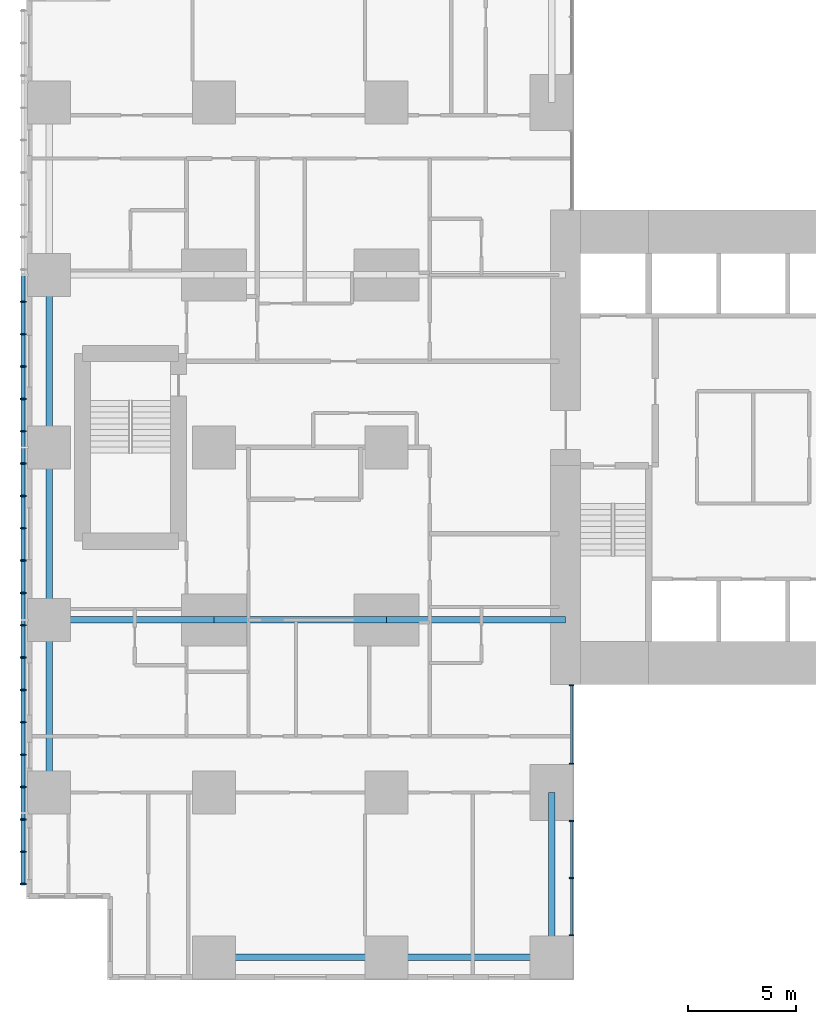
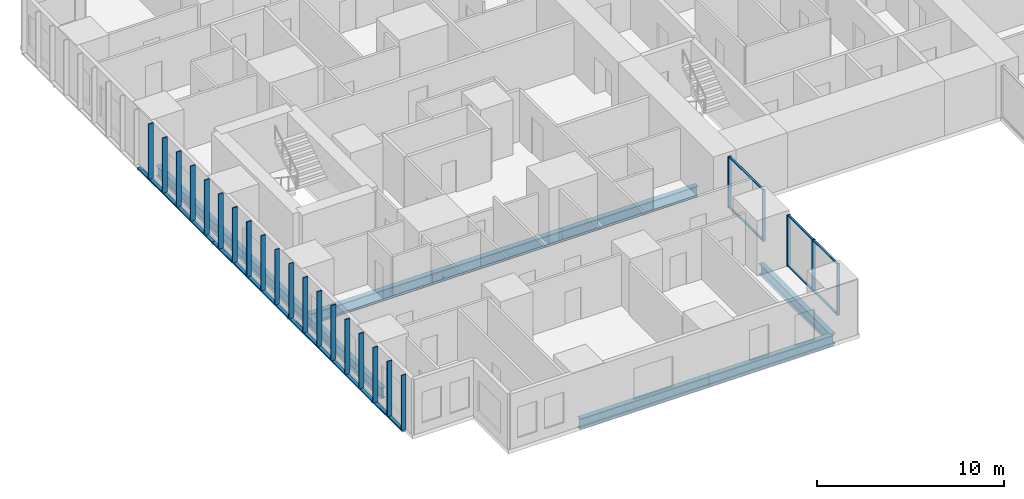
# One storey, part 2 of 20: 33 members, 9 beams, 2 elements without a shape of their own.
"""IFC4 building model written with IfcOpenShell, lengths in metres."""

from ifc_helpers import new_model, si_unit, direction, frame, origin, origin_2d, place, context, subcontext, project, spatial, rectangle, hollow_rectangle, i_section, extrude, material, layer, layer_set, material_profile, profile_set, type_object, element, aggregate, save


model = new_model("IFC4")

# Units and contexts
model_context = context("Model", 3, precision=1e-05, world=origin(), true_north=direction((0.0, 1.0)))
body_context = subcontext(model_context, "Body", "Model", "MODEL_VIEW")
ifc_project = project(units=[si_unit("LENGTHUNIT", "METRE"), si_unit("AREAUNIT", "SQUARE_METRE"), si_unit("VOLUMEUNIT", "CUBIC_METRE"), si_unit("PLANEANGLEUNIT", "RADIAN"), si_unit("MASSUNIT", "GRAM", prefix="KILO")], contexts=[model_context])

# Site, building, storey
site_placement = place(None, origin())
site = spatial("IfcSite", under=ifc_project, at=site_placement, CompositionType="ELEMENT")
building_placement = place(site_placement, origin())
building = spatial("IfcBuilding", under=site, at=building_placement, Name="Cleftline Residences", CompositionType="ELEMENT")
storey_placement = place(building_placement, frame((0.0, 0.0, 83.60009765625)))
storey = spatial("IfcBuildingStorey", under=building, at=storey_placement, Name="L21", CompositionType="ELEMENT", Elevation=83.60009765625)

# Members
ifc_material_1 = material(Name="Steel S355, hot-dip galvanised", Category="steel")
ifc_material_profile_1 = material_profile(ifc_material_1, hollow_rectangle(XDim=0.10009765625, YDim=0.199951171875, WallThickness=0.008056640625, InnerFilletRadius=0.008056640625, OuterFilletRadius=0.011962890625, at=origin_2d()))
ifc_profile_set_1 = profile_set([ifc_material_profile_1], Name="Steel S355, hot-dip galvanised")
member_type_1 = type_object("IfcMemberType", Name="BAGUETTE CARRIER RHS 200X100X8", PredefinedType="USERDEFINED", material=ifc_profile_set_1)
for number, where, z_axis, x_axis, name in (
    (1, (-0.85009765625, 32.0, -0.050048828125), (0.0, -1.0, 0.0), (0.0, 0.0, 1.0), "Baguette carrier"),
    (2, (-0.85009765625, 24.0, -0.050048828125), (0.0, -1.0, 0.0), (0.0, 0.0, 1.0), "Baguette carrier"),
):
    element("IfcMember", number, at=place(storey_placement, frame(where, z_axis=z_axis, x_axis=x_axis)), inside=storey, type_object=member_type_1, Name=name, ObjectType="BAGUETTE CARRIER", PredefinedType="USERDEFINED", context=body_context, shape_type="SweptSolid", body=[
        extrude(hollow_rectangle(XDim=0.10009765625, YDim=0.199951171875, WallThickness=0.008056640625, InnerFilletRadius=0.008056640625, OuterFilletRadius=0.011962890625, at=origin_2d()), origin(), (0.0, 0.0, 1.0), 8.0),
    ])
member_1_placement = place(storey_placement, frame((-0.85009765625, 16.0, -0.050048828125), z_axis=(0.0, -1.0, 0.0), x_axis=(0.0, 0.0, 1.0)))
element("IfcMember", 3, at=member_1_placement, inside=storey, type_object=member_type_1, Name="Baguette carrier", ObjectType="BAGUETTE CARRIER", PredefinedType="USERDEFINED", context=body_context, shape_type="SweptSolid", body=[
    extrude(hollow_rectangle(XDim=0.10009765625, YDim=0.199951171875, WallThickness=0.008056640625, InnerFilletRadius=0.008056640625, OuterFilletRadius=0.011962890625, at=origin_2d()), origin(), (0.0, 0.0, 1.0), 12.300048828125),
])

# Beams
ifc_material_2 = material(Name="Steel S355", Category="steel")
ifc_material_profile_2 = material_profile(ifc_material_2, i_section(OverallWidth=0.300048828125, OverallDepth=0.699951171875, WebThickness=0.01708984375, FlangeThickness=0.031982421875, FilletRadius=0.027099609375, at=origin_2d()))
ifc_profile_set_2 = profile_set([ifc_material_profile_2], Name="Steel S355")
beam_type_1 = type_object("IfcBeamType", Name="BEAM HEB 700", PredefinedType="BEAM", material=ifc_profile_set_2)
for number, where, z_axis, x_axis, name in (
    (4, (0.35009765625, 8.0, -0.60009765625), (0.0, 1.0, 0.0), (-1.0, 0.0, 0.0), "Edge beam"),
    (5, (0.35009765625, 16.0, -0.60009765625), (0.0, 1.0, 0.0), (-1.0, 0.0, 0.0), "Edge beam"),
    (6, (0.35009765625, 24.0, -0.60009765625), (0.0, 1.0, 0.0), (-1.0, 0.0, 0.0), "Edge beam"),
    (7, (8.0, 0.35009765625, -0.60009765625), (1.0, 0.0, 0.0), (0.0, 1.0, 0.0), "Edge beam"),
):
    element("IfcBeam", number, at=place(storey_placement, frame(where, z_axis=z_axis, x_axis=x_axis)), inside=storey, type_object=beam_type_1, Name=name, PredefinedType="BEAM", context=body_context, shape_type="SweptSolid", body=[
        extrude(i_section(OverallWidth=0.300048828125, OverallDepth=0.699951171875, WebThickness=0.01708984375, FlangeThickness=0.031982421875, FilletRadius=0.027099609375, at=origin_2d()), origin(), (0.0, 0.0, 1.0), 8.0),
    ])
for number, where, z_axis, x_axis, name in (
    (8, (16.0, 0.35009765625, -0.60009765625), (1.0, 0.0, 0.0), (0.0, 1.0, 0.0), "Edge beam"),
    (9, (23.64990234375, 0.35009765625, -0.60009765625), (0.0, 1.0, 0.0), (-1.0, 0.0, 0.0), "Edge beam"),
):
    element("IfcBeam", number, at=place(storey_placement, frame(where, z_axis=z_axis, x_axis=x_axis)), inside=storey, type_object=beam_type_1, Name=name, PredefinedType="BEAM", context=body_context, shape_type="SweptSolid", body=[
        extrude(i_section(OverallWidth=0.300048828125, OverallDepth=0.699951171875, WebThickness=0.01708984375, FlangeThickness=0.031982421875, FilletRadius=0.027099609375, at=origin_2d()), origin(), (0.0, 0.0, 1.0), 7.64990234375),
    ])
ifc_material_3 = material(Name="Steel S355", Category="steel")
ifc_material_profile_3 = material_profile(ifc_material_3, i_section(OverallWidth=0.303955078125, OverallDepth=0.716064453125, WebThickness=0.02099609375, FlangeThickness=0.0400390625, FilletRadius=0.027099609375, at=origin_2d()))
ifc_profile_set_3 = profile_set([ifc_material_profile_3], Name="Steel S355")
beam_type_2 = type_object("IfcBeamType", Name="BEAM HEM 700", PredefinedType="BEAM", material=ifc_profile_set_3)
beam_1_placement = place(storey_placement, frame((0.35009765625, 16.0, -0.608154296875), z_axis=(1.0, 0.0, 0.0), x_axis=(0.0, 1.0, 0.0)))
element("IfcBeam", 10, at=beam_1_placement, inside=storey, type_object=beam_type_2, Name="Band beam", PredefinedType="BEAM", context=body_context, shape_type="SweptSolid", body=[
    extrude(i_section(OverallWidth=0.303955078125, OverallDepth=0.716064453125, WebThickness=0.02099609375, FlangeThickness=0.0400390625, FilletRadius=0.027099609375, at=origin_2d()), origin(), (0.0, 0.0, 1.0), 7.64990234375),
])
beam_2_placement = place(storey_placement, frame((8.0, 16.0, -0.608154296875), z_axis=(1.0, 0.0, 0.0), x_axis=(0.0, 1.0, 0.0)))
element("IfcBeam", 11, at=beam_2_placement, inside=storey, type_object=beam_type_2, Name="Band beam", PredefinedType="BEAM", context=body_context, shape_type="SweptSolid", body=[
    extrude(i_section(OverallWidth=0.303955078125, OverallDepth=0.716064453125, WebThickness=0.02099609375, FlangeThickness=0.0400390625, FilletRadius=0.027099609375, at=origin_2d()), origin(), (0.0, 0.0, 1.0), 8.0),
])
beam_3_placement = place(storey_placement, frame((16.0, 16.0, -0.608154296875), z_axis=(1.0, 0.0, 0.0), x_axis=(0.0, 1.0, 0.0)))
element("IfcBeam", 12, at=beam_3_placement, inside=storey, type_object=beam_type_2, Name="Band beam", PredefinedType="BEAM", context=body_context, shape_type="SweptSolid", body=[
    extrude(i_section(OverallWidth=0.303955078125, OverallDepth=0.716064453125, WebThickness=0.02099609375, FlangeThickness=0.0400390625, FilletRadius=0.027099609375, at=origin_2d()), origin(), (0.0, 0.0, 1.0), 8.300048828125),
])

# Curtain wall, members
ifc_material_4 = material(Name="Aluminium framed curtain wall", Category="aluminium")
ifc_layer = layer(ifc_material_4, 0.199951171875)
ifc_layer_set = layer_set([ifc_layer], Name="CW1 CLEFT GLAZING")
curtain_wall_type = type_object("IfcCurtainWallType", Name="CW1 CLEFT GLAZING", PredefinedType="NOTDEFINED", material=ifc_layer_set)
curtain_wall_1_placement = place(storey_placement, origin())
curtain_wall_1 = element("IfcCurtainWall", 13, at=curtain_wall_1_placement, inside=storey, type_object=curtain_wall_type, Name="Curtain wall CW1", PredefinedType="NOTDEFINED")
ifc_material_5 = material(Name="Aluminium mullion", Category="aluminium")
ifc_material_profile_4 = material_profile(ifc_material_5, rectangle(XDim=0.199951171875, YDim=0.06005859375, at=origin_2d()))
ifc_profile_set_4 = profile_set([ifc_material_profile_4], Name="Aluminium mullion")
member_type_2 = type_object("IfcMemberType", Name="CW1 MULLION", PredefinedType="MULLION", material=ifc_profile_set_4)
member_2_placement = place(storey_placement, frame((24.574951171875, 1.3798828125, 0.0), z_axis=(0.0, 0.0, 1.0), x_axis=(-1.0, 0.0, 0.0)))
member_2 = element("IfcMember", 14, at=member_2_placement, type_object=member_type_2, Name="CW1 mullion 1", PredefinedType="MULLION", context=body_context, shape_type="SweptSolid", body=[
    extrude(rectangle(XDim=0.199951171875, YDim=0.06005859375, at=origin_2d()), origin(), (0.0, 0.0, 1.0), 3.349853515625),
])
member_3_placement = place(storey_placement, frame((24.574951171875, 4.02490234375, 0.0), z_axis=(0.0, 0.0, 1.0), x_axis=(-1.0, 0.0, 0.0)))
member_3 = element("IfcMember", 15, at=member_3_placement, type_object=member_type_2, Name="CW1 mullion 2", PredefinedType="MULLION", context=body_context, shape_type="SweptSolid", body=[
    extrude(rectangle(XDim=0.199951171875, YDim=0.06005859375, at=origin_2d()), origin(), (0.0, 0.0, 1.0), 3.349853515625),
])
member_4_placement = place(storey_placement, frame((24.574951171875, 6.669921875, 0.0), z_axis=(0.0, 0.0, 1.0), x_axis=(-1.0, 0.0, 0.0)))
member_4 = element("IfcMember", 16, at=member_4_placement, type_object=member_type_2, Name="CW1 mullion 3", PredefinedType="MULLION", context=body_context, shape_type="SweptSolid", body=[
    extrude(rectangle(XDim=0.199951171875, YDim=0.06005859375, at=origin_2d()), origin(), (0.0, 0.0, 1.0), 3.349853515625),
])

curtain_wall_2_placement = place(storey_placement, origin())
curtain_wall_2 = element("IfcCurtainWall", 17, at=curtain_wall_2_placement, inside=storey, type_object=curtain_wall_type, Name="Curtain wall CW1", PredefinedType="NOTDEFINED")
member_5_placement = place(storey_placement, frame((24.574951171875, 9.330078125, 0.0), z_axis=(0.0, 0.0, 1.0), x_axis=(-1.0, 0.0, 0.0)))
member_5 = element("IfcMember", 18, at=member_5_placement, type_object=member_type_2, Name="CW1 mullion 1", PredefinedType="MULLION", context=body_context, shape_type="SweptSolid", body=[
    extrude(rectangle(XDim=0.199951171875, YDim=0.06005859375, at=origin_2d()), origin(), (0.0, 0.0, 1.0), 3.349853515625),
])
member_6_placement = place(storey_placement, frame((24.574951171875, 12.969970703125, 0.0), z_axis=(0.0, 0.0, 1.0), x_axis=(-1.0, 0.0, 0.0)))
member_6 = element("IfcMember", 19, at=member_6_placement, type_object=member_type_2, Name="CW1 mullion 2", PredefinedType="MULLION", context=body_context, shape_type="SweptSolid", body=[
    extrude(rectangle(XDim=0.199951171875, YDim=0.06005859375, at=origin_2d()), origin(), (0.0, 0.0, 1.0), 3.349853515625),
])

# Member
ifc_material_6 = material(Name="Aluminium transom", Category="aluminium")
ifc_material_profile_5 = material_profile(ifc_material_6, rectangle(XDim=0.1201171875, YDim=0.06005859375, at=origin_2d()))
ifc_profile_set_5 = profile_set([ifc_material_profile_5], Name="Aluminium transom")
member_type_3 = type_object("IfcMemberType", Name="CW1 TRANSOM", PredefinedType="USERDEFINED", material=ifc_profile_set_5)
member_7_placement = place(storey_placement, frame((24.574951171875, 1.409912109375, 0.02978515625), z_axis=(0.0, 1.0, 0.0), x_axis=(-1.0, 0.0, 0.0)))
member_7 = element("IfcMember", 20, at=member_7_placement, type_object=member_type_3, Name="CW1 transom 1.1", ObjectType="TRANSOM", PredefinedType="USERDEFINED", context=body_context, shape_type="SweptSolid", body=[
    extrude(rectangle(XDim=0.1201171875, YDim=0.06005859375, at=origin_2d()), origin(), (0.0, 0.0, 1.0), 2.585205078125),
])

member_8_placement = place(storey_placement, frame((24.574951171875, 1.409912109375, 3.31982421875), z_axis=(0.0, 1.0, 0.0), x_axis=(-1.0, 0.0, 0.0)))
member_8 = element("IfcMember", 21, at=member_8_placement, type_object=member_type_3, Name="CW1 transom 1.2", ObjectType="TRANSOM", PredefinedType="USERDEFINED", context=body_context, shape_type="SweptSolid", body=[
    extrude(rectangle(XDim=0.1201171875, YDim=0.06005859375, at=origin_2d()), origin(), (0.0, 0.0, 1.0), 2.585205078125),
])

member_9_placement = place(storey_placement, frame((24.574951171875, 4.054931640625, 0.02978515625), z_axis=(0.0, 1.0, 0.0), x_axis=(-1.0, 0.0, 0.0)))
member_9 = element("IfcMember", 22, at=member_9_placement, type_object=member_type_3, Name="CW1 transom 2.1", ObjectType="TRANSOM", PredefinedType="USERDEFINED", context=body_context, shape_type="SweptSolid", body=[
    extrude(rectangle(XDim=0.1201171875, YDim=0.06005859375, at=origin_2d()), origin(), (0.0, 0.0, 1.0), 2.5849609375),
])

member_10_placement = place(storey_placement, frame((24.574951171875, 4.054931640625, 3.31982421875), z_axis=(0.0, 1.0, 0.0), x_axis=(-1.0, 0.0, 0.0)))
member_10 = element("IfcMember", 23, at=member_10_placement, type_object=member_type_3, Name="CW1 transom 2.2", ObjectType="TRANSOM", PredefinedType="USERDEFINED", context=body_context, shape_type="SweptSolid", body=[
    extrude(rectangle(XDim=0.1201171875, YDim=0.06005859375, at=origin_2d()), origin(), (0.0, 0.0, 1.0), 2.5849609375),
])

aggregate(curtain_wall_1, [member_2, member_3, member_4, member_7, member_8, member_9, member_10])

member_11_placement = place(storey_placement, frame((24.574951171875, 9.360107421875, 0.02978515625), z_axis=(0.0, 1.0, 0.0), x_axis=(-1.0, 0.0, 0.0)))
member_11 = element("IfcMember", 24, at=member_11_placement, type_object=member_type_3, Name="CW1 transom 1.1", ObjectType="TRANSOM", PredefinedType="USERDEFINED", context=body_context, shape_type="SweptSolid", body=[
    extrude(rectangle(XDim=0.1201171875, YDim=0.06005859375, at=origin_2d()), origin(), (0.0, 0.0, 1.0), 3.579833984375),
])

member_12_placement = place(storey_placement, frame((24.574951171875, 9.360107421875, 3.31982421875), z_axis=(0.0, 1.0, 0.0), x_axis=(-1.0, 0.0, 0.0)))
member_12 = element("IfcMember", 25, at=member_12_placement, type_object=member_type_3, Name="CW1 transom 1.2", ObjectType="TRANSOM", PredefinedType="USERDEFINED", context=body_context, shape_type="SweptSolid", body=[
    extrude(rectangle(XDim=0.1201171875, YDim=0.06005859375, at=origin_2d()), origin(), (0.0, 0.0, 1.0), 3.579833984375),
])

aggregate(curtain_wall_2, [member_5, member_6, member_11, member_12])

# Members
ifc_material_7 = material(Name="Extruded terracotta", Category="masonry")
ifc_material_profile_6 = material_profile(ifc_material_7, rectangle(XDim=0.06005859375, YDim=0.300048828125, at=origin_2d()))
ifc_profile_set_6 = profile_set([ifc_material_profile_6], Name="Extruded terracotta")
member_type_4 = type_object("IfcMemberType", Name="TERRACOTTA BAGUETTE 60X300", PredefinedType="USERDEFINED", material=ifc_profile_set_6)
for number, where, z_axis, x_axis, name in (
    (26, (-0.85009765625, 30.75, 0.0), (0.0, 0.0, 1.0), (0.0, 1.0, 0.0), "Terracotta baguette"),
    (27, (-0.85009765625, 29.25, 0.0), (0.0, 0.0, 1.0), (0.0, 1.0, 0.0), "Terracotta baguette"),
    (28, (-0.85009765625, 27.75, 0.0), (0.0, 0.0, 1.0), (0.0, 1.0, 0.0), "Terracotta baguette"),
    (29, (-0.85009765625, 26.25, 0.0), (0.0, 0.0, 1.0), (0.0, 1.0, 0.0), "Terracotta baguette"),
    (30, (-0.85009765625, 24.75, 0.0), (0.0, 0.0, 1.0), (0.0, 1.0, 0.0), "Terracotta baguette"),
    (31, (-0.85009765625, 23.25, 0.0), (0.0, 0.0, 1.0), (0.0, 1.0, 0.0), "Terracotta baguette"),
    (32, (-0.85009765625, 21.75, 0.0), (0.0, 0.0, 1.0), (0.0, 1.0, 0.0), "Terracotta baguette"),
    (33, (-0.85009765625, 20.25, 0.0), (0.0, 0.0, 1.0), (0.0, 1.0, 0.0), "Terracotta baguette"),
    (34, (-0.85009765625, 18.75, 0.0), (0.0, 0.0, 1.0), (0.0, 1.0, 0.0), "Terracotta baguette"),
    (35, (-0.85009765625, 17.25, 0.0), (0.0, 0.0, 1.0), (0.0, 1.0, 0.0), "Terracotta baguette"),
    (36, (-0.85009765625, 15.75, 0.0), (0.0, 0.0, 1.0), (0.0, 1.0, 0.0), "Terracotta baguette"),
    (37, (-0.85009765625, 14.25, 0.0), (0.0, 0.0, 1.0), (0.0, 1.0, 0.0), "Terracotta baguette"),
    (38, (-0.85009765625, 12.75, 0.0), (0.0, 0.0, 1.0), (0.0, 1.0, 0.0), "Terracotta baguette"),
    (39, (-0.85009765625, 11.25, 0.0), (0.0, 0.0, 1.0), (0.0, 1.0, 0.0), "Terracotta baguette"),
    (40, (-0.85009765625, 9.75, 0.0), (0.0, 0.0, 1.0), (0.0, 1.0, 0.0), "Terracotta baguette"),
    (41, (-0.85009765625, 8.25, 0.0), (0.0, 0.0, 1.0), (0.0, 1.0, 0.0), "Terracotta baguette"),
    (42, (-0.85009765625, 6.75, 0.0), (0.0, 0.0, 1.0), (0.0, 1.0, 0.0), "Terracotta baguette"),
    (43, (-0.85009765625, 5.25, 0.0), (0.0, 0.0, 1.0), (0.0, 1.0, 0.0), "Terracotta baguette"),
    (44, (-0.85009765625, 3.75, 0.0), (0.0, 0.0, 1.0), (0.0, 1.0, 0.0), "Terracotta baguette"),
):
    element("IfcMember", number, at=place(storey_placement, frame(where, z_axis=z_axis, x_axis=x_axis)), inside=storey, type_object=member_type_4, Name=name, ObjectType="BAGUETTE", PredefinedType="USERDEFINED", context=body_context, shape_type="SweptSolid", body=[
        extrude(rectangle(XDim=0.06005859375, YDim=0.300048828125, at=origin_2d()), origin(), (0.0, 0.0, 1.0), 3.599853515625),
    ])

save(model, "model.ifc")
